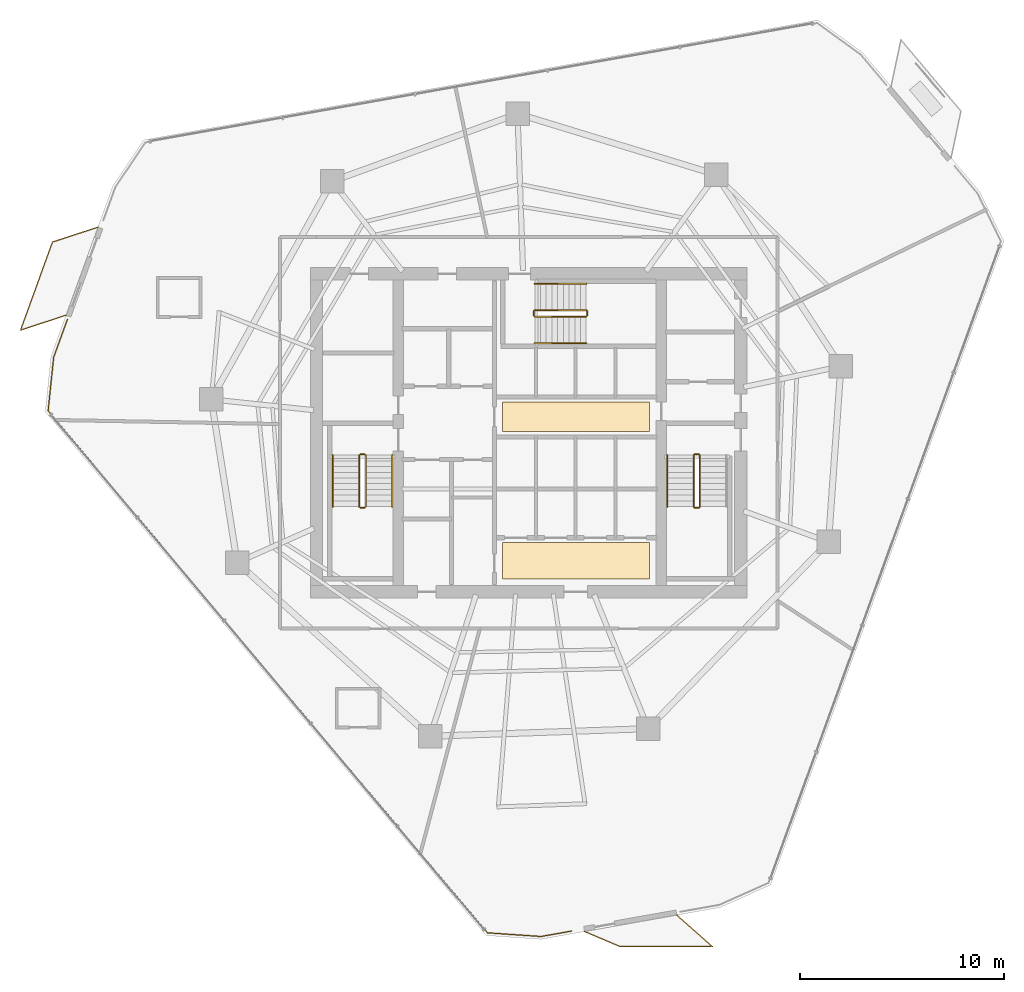
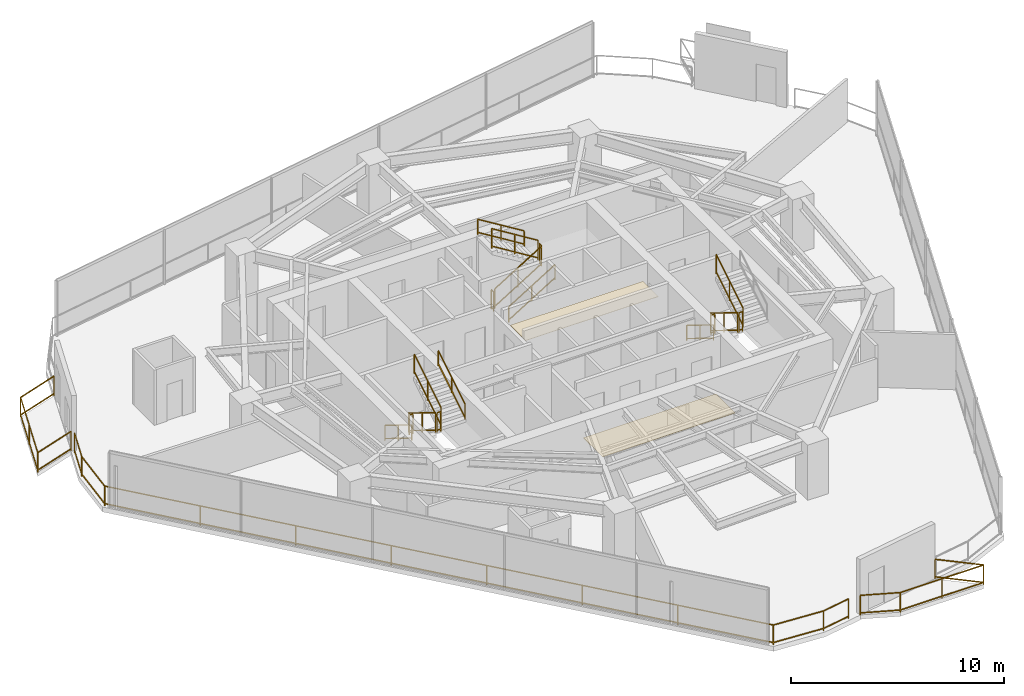
# One storey, part 26 of 27: 20 railings, 2 coverings.
"""IFC4 building model written with IfcOpenShell, lengths in metres."""

from ifc_helpers import new_model, si_unit, direction, frame, origin, origin_2d, place, context, subcontext, project, spatial, rectangle, extrude, material, layer, layer_set, type_object, element, save


model = new_model("IFC4")

# Units and contexts
model_context = context("Model", 3, precision=1e-05, world=origin(), true_north=direction((0.0, 1.0)))
body_context = subcontext(model_context, "Body", "Model", "MODEL_VIEW")
ifc_project = project(units=[si_unit("LENGTHUNIT", "METRE"), si_unit("AREAUNIT", "SQUARE_METRE"), si_unit("VOLUMEUNIT", "CUBIC_METRE"), si_unit("PLANEANGLEUNIT", "RADIAN"), si_unit("MASSUNIT", "GRAM", prefix="KILO")], contexts=[model_context])

# Site, building, storey
site_placement = place(None, origin())
site = spatial("IfcSite", under=ifc_project, at=site_placement, CompositionType="ELEMENT")
building_placement = place(site_placement, origin())
building = spatial("IfcBuilding", under=site, at=building_placement, Name="Qarnah Convention Tower", CompositionType="ELEMENT")
storey_placement = place(building_placement, frame((0.0, 0.0, 103.949951171875)))
storey = spatial("IfcBuildingStorey", under=building, at=storey_placement, Name="L27", CompositionType="ELEMENT", Elevation=103.949951171875)

# Coverings
ifc_material_1 = material(Name="Mineral fibre acoustic ceiling")
ifc_layer_1 = layer(ifc_material_1, 0.02001953125)
ifc_layer_set_1 = layer_set([ifc_layer_1], Name="Mineral fibre acoustic ceiling")
covering_type_1 = type_object("IfcCoveringType", Name="COV-CEIL-20", PredefinedType="CEILING", material=ifc_layer_set_1)
covering_1_placement = place(storey_placement, frame((39.52001953125, 27.179931640625, 2.2900390625), z_axis=(0.0, 0.0, 1.0), x_axis=(1.0, 0.0, 0.0)))
element("IfcCovering", 1, at=covering_1_placement, inside=storey, type_object=covering_type_1, Name="L27 lift lobby acoustic ceiling", PredefinedType="CEILING", context=body_context, shape_type="SweptSolid", body=[
    extrude(rectangle(XDim=7.199951171875, YDim=1.449951171875, at=origin_2d()), origin(), (0.0, 0.0, 1.0), 0.02001953125),
])
ifc_material_2 = material(Name="Porcelain stone floor tile", Category="masonry")
ifc_layer_2 = layer(ifc_material_2, 0.02001953125)
ifc_layer_set_2 = layer_set([ifc_layer_2], Name="Porcelain stone floor tile")
covering_type_2 = type_object("IfcCoveringType", Name="COV-FLOOR-20", PredefinedType="FLOORING", material=ifc_layer_set_2)
covering_2_placement = place(storey_placement, frame((39.52001953125, 20.1201171875, 0.0), z_axis=(0.0, 0.0, 1.0), x_axis=(1.0, 0.0, 0.0)))
element("IfcCovering", 2, at=covering_2_placement, inside=storey, type_object=covering_type_2, Name="L27 lift lobby porcelain stone flooring", PredefinedType="FLOORING", context=body_context, shape_type="SweptSolid", body=[
    extrude(rectangle(XDim=7.199951171875, YDim=1.800048828125, at=origin_2d()), origin(), (0.0, 0.0, 1.0), 0.02001953125),
])

# Railings
ifc_material_3 = material(Name="Black anodised aluminium", Category="aluminium")
railing_type_1 = type_object("IfcRailingType", Name="RL-EXT-GUARD-1150", PredefinedType="GUARDRAIL", material=ifc_material_3)
railing_1_placement = place(storey_placement, frame((39.31396484375, 1.966064453125, 0.0)))
element("IfcRailing", 3, at=railing_1_placement, inside=storey, type_object=railing_type_1, Name="L27 slab-edge perimeter safety guard 03", PredefinedType="GUARDRAIL", context=body_context, shape_type="SweptSolid", body=[
    extrude(rectangle(XDim=0.048095703125, YDim=0.048095703125, at=origin_2d()), frame((0.0, 0.0, 1.1259765625), z_axis=(-0.984585680031, -0.174902940734, 0.0), x_axis=(0.174902940734, -0.984585680031, 0.0)), (0.0, 0.0, 1.0), 1.53271484375),
    extrude(rectangle(XDim=0.048095703125, YDim=0.048095703125, at=origin_2d()), frame((0.0, 0.0, 0.1201171875), z_axis=(-0.984585680031, -0.174902940734, 0.0), x_axis=(0.174902940734, -0.984585680031, 0.0)), (0.0, 0.0, 1.0), 1.53271484375),
    extrude(rectangle(XDim=0.048095703125, YDim=0.048095703125, at=origin_2d()), frame((-1.509033203125, -0.26806640625, 1.1259765625), z_axis=(-0.997657274384, 0.068410254114, 0.0), x_axis=(-0.068410254114, -0.997657274384, 0.0)), (0.0, 0.0, 1.0), 2.630126953125),
    extrude(rectangle(XDim=0.048095703125, YDim=0.048095703125, at=origin_2d()), frame((-1.509033203125, -0.26806640625, 0.1201171875), z_axis=(-0.997657274384, 0.068410254114, 0.0), x_axis=(-0.068410254114, -0.997657274384, 0.0)), (0.0, 0.0, 1.0), 2.630126953125),
    extrude(rectangle(XDim=0.048095703125, YDim=0.048095703125, at=origin_2d()), frame((-4.133056640625, -0.088134765625, 1.1259765625), z_axis=(-0.643881381007, 0.765125327768, 0.0), x_axis=(-0.765125327768, -0.643881381007, 0.0)), (0.0, 0.0, 1.0), 33.462646484375),
    extrude(rectangle(XDim=0.048095703125, YDim=0.048095703125, at=origin_2d()), frame((-4.133056640625, -0.088134765625, 0.1201171875), z_axis=(-0.643881381007, 0.765125327768, 0.0), x_axis=(-0.765125327768, -0.643881381007, 0.0)), (0.0, 0.0, 1.0), 33.462646484375),
    extrude(rectangle(XDim=0.048095703125, YDim=0.048095703125, at=origin_2d()), frame((-25.678955078125, 25.514892578125, 1.1259765625), z_axis=(0.103003627966, 0.994680980328, 0.0), x_axis=(-0.994680980328, 0.103003627966, 0.0)), (0.0, 0.0, 1.0), 2.630859375),
    extrude(rectangle(XDim=0.048095703125, YDim=0.048095703125, at=origin_2d()), frame((-25.678955078125, 25.514892578125, 0.1201171875), z_axis=(0.103003627966, 0.994680980328, 0.0), x_axis=(-0.994680980328, 0.103003627966, 0.0)), (0.0, 0.0, 1.0), 2.630859375),
    extrude(rectangle(XDim=0.048095703125, YDim=0.048095703125, at=origin_2d()), frame((-25.407958984375, 28.1318359375, 1.1259765625), z_axis=(0.340588439932, 0.940212483742, 0.0), x_axis=(-0.940212483742, 0.340588439932, 0.0)), (0.0, 0.0, 1.0), 1.9697265625),
    extrude(rectangle(XDim=0.048095703125, YDim=0.048095703125, at=origin_2d()), frame((-25.407958984375, 28.1318359375, 0.1201171875), z_axis=(0.340588439932, 0.940212483742, 0.0), x_axis=(-0.940212483742, 0.340588439932, 0.0)), (0.0, 0.0, 1.0), 1.9697265625),
    extrude(rectangle(XDim=0.0419921875, YDim=0.0419921875, at=origin_2d()), origin(), (0.0, 0.0, 1.0), 1.101806640625),
    extrude(rectangle(XDim=0.0419921875, YDim=0.0419921875, at=origin_2d()), frame((-1.509033203125, -0.26806640625, 0.0)), (0.0, 0.0, 1.0), 1.101806640625),
    extrude(rectangle(XDim=0.0419921875, YDim=0.0419921875, at=origin_2d()), frame((-4.133056640625, -0.088134765625, 0.0)), (0.0, 0.0, 1.0), 1.101806640625),
    extrude(rectangle(XDim=0.0419921875, YDim=0.0419921875, at=origin_2d()), frame((-7.2109375, 3.5693359375, 0.0)), (0.0, 0.0, 1.0), 1.101806640625),
    extrude(rectangle(XDim=0.0419921875, YDim=0.0419921875, at=origin_2d()), frame((-10.2890625, 7.22705078125, 0.0)), (0.0, 0.0, 1.0), 1.101806640625),
    extrude(rectangle(XDim=0.0419921875, YDim=0.0419921875, at=origin_2d()), frame((-13.366943359375, 10.884521484375, 0.0)), (0.0, 0.0, 1.0), 1.101806640625),
    extrude(rectangle(XDim=0.0419921875, YDim=0.0419921875, at=origin_2d()), frame((-16.445068359375, 14.542236328125, 0.0)), (0.0, 0.0, 1.0), 1.101806640625),
    extrude(rectangle(XDim=0.0419921875, YDim=0.0419921875, at=origin_2d()), frame((-19.52294921875, 18.19970703125, 0.0)), (0.0, 0.0, 1.0), 1.101806640625),
    extrude(rectangle(XDim=0.0419921875, YDim=0.0419921875, at=origin_2d()), frame((-22.60107421875, 21.857421875, 0.0)), (0.0, 0.0, 1.0), 1.101806640625),
    extrude(rectangle(XDim=0.0419921875, YDim=0.0419921875, at=origin_2d()), frame((-25.678955078125, 25.514892578125, 0.0)), (0.0, 0.0, 1.0), 1.101806640625),
    extrude(rectangle(XDim=0.0419921875, YDim=0.0419921875, at=origin_2d()), frame((-25.407958984375, 28.1318359375, 0.0)), (0.0, 0.0, 1.0), 1.101806640625),
    extrude(rectangle(XDim=0.0419921875, YDim=0.0419921875, at=origin_2d()), frame((-24.737060546875, 29.98388671875, 0.0)), (0.0, 0.0, 1.0), 1.101806640625),
])
railing_2_placement = place(storey_placement, frame((14.510009765625, 32.158935546875, 0.0)))
element("IfcRailing", 4, at=railing_2_placement, inside=storey, type_object=railing_type_1, Name="L27 balcony safety guard BAL-L27-C2", PredefinedType="GUARDRAIL", context=body_context, shape_type="SweptSolid", body=[
    extrude(rectangle(XDim=0.048095703125, YDim=0.048095703125, at=origin_2d()), frame((0.0, 0.0, 1.1259765625), z_axis=(-0.950579154954, -0.310482318606, 0.0), x_axis=(0.310482318606, -0.950579154954, 0.0)), (0.0, 0.0, 1.0), 2.347900390625),
    extrude(rectangle(XDim=0.048095703125, YDim=0.048095703125, at=origin_2d()), frame((0.0, 0.0, 0.1201171875), z_axis=(-0.950579154954, -0.310482318606, 0.0), x_axis=(0.310482318606, -0.950579154954, 0.0)), (0.0, 0.0, 1.0), 2.347900390625),
    extrude(rectangle(XDim=0.048095703125, YDim=0.048095703125, at=origin_2d()), frame((-2.23193359375, -0.72900390625, 1.1259765625), z_axis=(0.340626339415, 0.940198753933, 0.0), x_axis=(-0.940198753933, 0.340626339415, 0.0)), (0.0, 0.0, 1.0), 4.60009765625),
    extrude(rectangle(XDim=0.048095703125, YDim=0.048095703125, at=origin_2d()), frame((-2.23193359375, -0.72900390625, 0.1201171875), z_axis=(0.340626339415, 0.940198753933, 0.0), x_axis=(-0.940198753933, 0.340626339415, 0.0)), (0.0, 0.0, 1.0), 4.60009765625),
    extrude(rectangle(XDim=0.048095703125, YDim=0.048095703125, at=origin_2d()), frame((-0.6650390625, 3.595947265625, 1.1259765625), z_axis=(0.950579154954, 0.310482318606, 0.0), x_axis=(-0.310482318606, 0.950579154954, 0.0)), (0.0, 0.0, 1.0), 2.347900390625),
    extrude(rectangle(XDim=0.048095703125, YDim=0.048095703125, at=origin_2d()), frame((-0.6650390625, 3.595947265625, 0.1201171875), z_axis=(0.950579154954, 0.310482318606, 0.0), x_axis=(-0.310482318606, 0.950579154954, 0.0)), (0.0, 0.0, 1.0), 2.347900390625),
    extrude(rectangle(XDim=0.0419921875, YDim=0.0419921875, at=origin_2d()), origin(), (0.0, 0.0, 1.0), 1.101806640625),
    extrude(rectangle(XDim=0.0419921875, YDim=0.0419921875, at=origin_2d()), frame((-2.23193359375, -0.72900390625, 0.0)), (0.0, 0.0, 1.0), 1.101806640625),
    extrude(rectangle(XDim=0.0419921875, YDim=0.0419921875, at=origin_2d()), frame((-1.448486328125, 1.43359375, 0.0)), (0.0, 0.0, 1.0), 1.101806640625),
    extrude(rectangle(XDim=0.0419921875, YDim=0.0419921875, at=origin_2d()), frame((-0.6650390625, 3.595947265625, 0.0)), (0.0, 0.0, 1.0), 1.101806640625),
    extrude(rectangle(XDim=0.0419921875, YDim=0.0419921875, at=origin_2d()), frame((1.56689453125, 4.324951171875, 0.0)), (0.0, 0.0, 1.0), 1.101806640625),
])
railing_3_placement = place(storey_placement, frame((44.468017578125, 2.7451171875, 0.0)))
element("IfcRailing", 5, at=railing_3_placement, inside=storey, type_object=railing_type_1, Name="L27 balcony safety guard BAL-L27-C3", PredefinedType="GUARDRAIL", context=body_context, shape_type="SweptSolid", body=[
    extrude(rectangle(XDim=0.048095703125, YDim=0.048095703125, at=origin_2d()), frame((0.0, 0.0, 1.1259765625), z_axis=(0.749064489644, -0.662497087054, 0.0), x_axis=(0.662497087054, 0.749064489644, 0.0)), (0.0, 0.0, 1.0), 2.332275390625),
    extrude(rectangle(XDim=0.048095703125, YDim=0.048095703125, at=origin_2d()), frame((0.0, 0.0, 0.1201171875), z_axis=(0.749064489644, -0.662497087054, 0.0), x_axis=(0.662497087054, 0.749064489644, 0.0)), (0.0, 0.0, 1.0), 2.332275390625),
    extrude(rectangle(XDim=0.048095703125, YDim=0.048095703125, at=origin_2d()), frame((1.7470703125, -1.545166015625, 1.1259765625), z_axis=(-1.0, 0.0, 0.0), x_axis=(0.0, -1.0, 0.0)), (0.0, 0.0, 1.0), 4.529052734375),
    extrude(rectangle(XDim=0.048095703125, YDim=0.048095703125, at=origin_2d()), frame((1.7470703125, -1.545166015625, 0.1201171875), z_axis=(-1.0, 0.0, 0.0), x_axis=(0.0, -1.0, 0.0)), (0.0, 0.0, 1.0), 4.529052734375),
    extrude(rectangle(XDim=0.048095703125, YDim=0.048095703125, at=origin_2d()), frame((-2.781982421875, -1.545166015625, 1.1259765625), z_axis=(-0.920807337319, 0.390017752853, 0.0), x_axis=(-0.390017752853, -0.920807337319, 0.0)), (0.0, 0.0, 1.0), 1.897216796875),
    extrude(rectangle(XDim=0.048095703125, YDim=0.048095703125, at=origin_2d()), frame((-2.781982421875, -1.545166015625, 0.1201171875), z_axis=(-0.920807337319, 0.390017752853, 0.0), x_axis=(-0.390017752853, -0.920807337319, 0.0)), (0.0, 0.0, 1.0), 1.897216796875),
    extrude(rectangle(XDim=0.0419921875, YDim=0.0419921875, at=origin_2d()), origin(), (0.0, 0.0, 1.0), 1.101806640625),
    extrude(rectangle(XDim=0.0419921875, YDim=0.0419921875, at=origin_2d()), frame((1.7470703125, -1.545166015625, 0.0)), (0.0, 0.0, 1.0), 1.101806640625),
    extrude(rectangle(XDim=0.0419921875, YDim=0.0419921875, at=origin_2d()), frame((-0.517578125, -1.545166015625, 0.0)), (0.0, 0.0, 1.0), 1.101806640625),
    extrude(rectangle(XDim=0.0419921875, YDim=0.0419921875, at=origin_2d()), frame((-2.781982421875, -1.545166015625, 0.0)), (0.0, 0.0, 1.0), 1.101806640625),
    extrude(rectangle(XDim=0.0419921875, YDim=0.0419921875, at=origin_2d()), frame((-4.529052734375, -0.80517578125, 0.0)), (0.0, 0.0, 1.0), 1.101806640625),
])
ifc_material_4 = material(Name="Structural steel S355JR", Category="steel")
railing_type_2 = type_object("IfcRailingType", Name="RL-STAIR-GUARD-1150", PredefinedType="GUARDRAIL", material=ifc_material_4)
railing_4_placement = place(storey_placement, frame((28.89990234375, 25.300048828125, 0.172607421875)))
element("IfcRailing", 6, at=railing_4_placement, inside=storey, type_object=railing_type_2, Name="L27 ST-1 stair guard 1", PredefinedType="GUARDRAIL", context=body_context, shape_type="SweptSolid", body=[
    extrude(rectangle(XDim=0.048095703125, YDim=0.048095703125, at=origin_2d()), frame((0.0, 0.0, 1.1259765625), z_axis=(0.0, -0.851400495292, 0.524516154772), x_axis=(1.0, 0.0, 0.0)), (0.0, 0.0, 1.0), 2.9599609375),
    extrude(rectangle(XDim=0.048095703125, YDim=0.048095703125, at=origin_2d()), frame((0.0, 0.0, 0.1201171875), z_axis=(0.0, -0.851400495292, 0.524516154772), x_axis=(1.0, 0.0, 0.0)), (0.0, 0.0, 1.0), 2.9599609375),
    extrude(rectangle(XDim=0.0419921875, YDim=0.0419921875, at=origin_2d()), origin(), (0.0, 0.0, 1.0), 1.101806640625),
    extrude(rectangle(XDim=0.0419921875, YDim=0.0419921875, at=origin_2d()), frame((0.0, -1.260009765625, 0.7763671875)), (0.0, 0.0, 1.0), 1.101806640625),
    extrude(rectangle(XDim=0.0419921875, YDim=0.0419921875, at=origin_2d()), frame((0.0, -2.52001953125, 1.552490234375)), (0.0, 0.0, 1.0), 1.101806640625),
])
railing_5_placement = place(storey_placement, frame((28.949951171875, 22.72998046875, 1.72509765625)))
element("IfcRailing", 7, at=railing_5_placement, inside=storey, type_object=railing_type_2, Name="L27 ST-1 stair guard 2", PredefinedType="GUARDRAIL", context=body_context, shape_type="SweptSolid", body=[
    extrude(rectangle(XDim=0.048095703125, YDim=0.048095703125, at=origin_2d()), frame((0.0, 0.0, 1.1259765625), z_axis=(1.0, 0.0, 0.0), x_axis=(0.0, 1.0, 0.0)), (0.0, 0.0, 1.0), 0.199951171875),
    extrude(rectangle(XDim=0.048095703125, YDim=0.048095703125, at=origin_2d()), frame((0.0, 0.0, 0.1201171875), z_axis=(1.0, 0.0, 0.0), x_axis=(0.0, 1.0, 0.0)), (0.0, 0.0, 1.0), 0.199951171875),
    extrude(rectangle(XDim=0.0419921875, YDim=0.0419921875, at=origin_2d()), origin(), (0.0, 0.0, 1.0), 1.101806640625),
    extrude(rectangle(XDim=0.0419921875, YDim=0.0419921875, at=origin_2d()), frame((0.199951171875, 0.0, 0.0)), (0.0, 0.0, 1.0), 1.101806640625),
])
railing_6_placement = place(storey_placement, frame((29.199951171875, 22.780029296875, 1.8974609375)))
element("IfcRailing", 8, at=railing_6_placement, inside=storey, type_object=railing_type_2, Name="L27 ST-1 stair guard 3", PredefinedType="GUARDRAIL", context=body_context, shape_type="SweptSolid", body=[
    extrude(rectangle(XDim=0.048095703125, YDim=0.048095703125, at=origin_2d()), frame((0.0, 0.0, 1.1259765625), z_axis=(0.0, 0.851400495292, 0.524516154772), x_axis=(-1.0, 0.0, 0.0)), (0.0, 0.0, 1.0), 2.9599609375),
    extrude(rectangle(XDim=0.048095703125, YDim=0.048095703125, at=origin_2d()), frame((0.0, 0.0, 0.1201171875), z_axis=(0.0, 0.851400495292, 0.524516154772), x_axis=(-1.0, 0.0, 0.0)), (0.0, 0.0, 1.0), 2.9599609375),
    extrude(rectangle(XDim=0.0419921875, YDim=0.0419921875, at=origin_2d()), origin(), (0.0, 0.0, 1.0), 1.101806640625),
    extrude(rectangle(XDim=0.0419921875, YDim=0.0419921875, at=origin_2d()), frame((0.0, 1.260009765625, 0.7763671875)), (0.0, 0.0, 1.0), 1.101806640625),
    extrude(rectangle(XDim=0.0419921875, YDim=0.0419921875, at=origin_2d()), frame((0.0, 2.52001953125, 1.552490234375)), (0.0, 0.0, 1.0), 1.101806640625),
])
railing_7_placement = place(storey_placement, frame((28.949951171875, 25.35009765625, 0.0)))
element("IfcRailing", 9, at=railing_7_placement, inside=storey, type_object=railing_type_2, Name="L27 ST-1 stair guard 4", PredefinedType="GUARDRAIL", context=body_context, shape_type="SweptSolid", body=[
    extrude(rectangle(XDim=0.048095703125, YDim=0.048095703125, at=origin_2d()), frame((0.0, 0.0, 1.1259765625), z_axis=(1.0, 0.0, 0.0), x_axis=(0.0, 1.0, 0.0)), (0.0, 0.0, 1.0), 0.199951171875),
    extrude(rectangle(XDim=0.048095703125, YDim=0.048095703125, at=origin_2d()), frame((0.0, 0.0, 0.1201171875), z_axis=(1.0, 0.0, 0.0), x_axis=(0.0, 1.0, 0.0)), (0.0, 0.0, 1.0), 0.199951171875),
    extrude(rectangle(XDim=0.0419921875, YDim=0.0419921875, at=origin_2d()), origin(), (0.0, 0.0, 1.0), 1.101806640625),
    extrude(rectangle(XDim=0.0419921875, YDim=0.0419921875, at=origin_2d()), frame((0.199951171875, 0.0, 0.0)), (0.0, 0.0, 1.0), 1.101806640625),
])
railing_8_placement = place(storey_placement, frame((45.300048828125, 25.300048828125, 0.172607421875)))
element("IfcRailing", 10, at=railing_8_placement, inside=storey, type_object=railing_type_2, Name="L27 ST-2 stair guard 1", PredefinedType="GUARDRAIL", context=body_context, shape_type="SweptSolid", body=[
    extrude(rectangle(XDim=0.048095703125, YDim=0.048095703125, at=origin_2d()), frame((0.0, 0.0, 1.1259765625), z_axis=(0.0, -0.851400495292, 0.524516154772), x_axis=(1.0, 0.0, 0.0)), (0.0, 0.0, 1.0), 2.9599609375),
    extrude(rectangle(XDim=0.048095703125, YDim=0.048095703125, at=origin_2d()), frame((0.0, 0.0, 0.1201171875), z_axis=(0.0, -0.851400495292, 0.524516154772), x_axis=(1.0, 0.0, 0.0)), (0.0, 0.0, 1.0), 2.9599609375),
    extrude(rectangle(XDim=0.0419921875, YDim=0.0419921875, at=origin_2d()), origin(), (0.0, 0.0, 1.0), 1.101806640625),
    extrude(rectangle(XDim=0.0419921875, YDim=0.0419921875, at=origin_2d()), frame((0.0, -1.260009765625, 0.7763671875)), (0.0, 0.0, 1.0), 1.101806640625),
    extrude(rectangle(XDim=0.0419921875, YDim=0.0419921875, at=origin_2d()), frame((0.0, -2.52001953125, 1.552490234375)), (0.0, 0.0, 1.0), 1.101806640625),
])
railing_9_placement = place(storey_placement, frame((45.35009765625, 22.72998046875, 1.72509765625)))
element("IfcRailing", 11, at=railing_9_placement, inside=storey, type_object=railing_type_2, Name="L27 ST-2 stair guard 2", PredefinedType="GUARDRAIL", context=body_context, shape_type="SweptSolid", body=[
    extrude(rectangle(XDim=0.048095703125, YDim=0.048095703125, at=origin_2d()), frame((0.0, 0.0, 1.1259765625), z_axis=(1.0, 0.0, 0.0), x_axis=(0.0, 1.0, 0.0)), (0.0, 0.0, 1.0), 0.199951171875),
    extrude(rectangle(XDim=0.048095703125, YDim=0.048095703125, at=origin_2d()), frame((0.0, 0.0, 0.1201171875), z_axis=(1.0, 0.0, 0.0), x_axis=(0.0, 1.0, 0.0)), (0.0, 0.0, 1.0), 0.199951171875),
    extrude(rectangle(XDim=0.0419921875, YDim=0.0419921875, at=origin_2d()), origin(), (0.0, 0.0, 1.0), 1.101806640625),
    extrude(rectangle(XDim=0.0419921875, YDim=0.0419921875, at=origin_2d()), frame((0.199951171875, 0.0, 0.0)), (0.0, 0.0, 1.0), 1.101806640625),
])
railing_10_placement = place(storey_placement, frame((45.60009765625, 22.780029296875, 1.8974609375)))
element("IfcRailing", 12, at=railing_10_placement, inside=storey, type_object=railing_type_2, Name="L27 ST-2 stair guard 3", PredefinedType="GUARDRAIL", context=body_context, shape_type="SweptSolid", body=[
    extrude(rectangle(XDim=0.048095703125, YDim=0.048095703125, at=origin_2d()), frame((0.0, 0.0, 1.1259765625), z_axis=(0.0, 0.851400495292, 0.524516154772), x_axis=(-1.0, 0.0, 0.0)), (0.0, 0.0, 1.0), 2.9599609375),
    extrude(rectangle(XDim=0.048095703125, YDim=0.048095703125, at=origin_2d()), frame((0.0, 0.0, 0.1201171875), z_axis=(0.0, 0.851400495292, 0.524516154772), x_axis=(-1.0, 0.0, 0.0)), (0.0, 0.0, 1.0), 2.9599609375),
    extrude(rectangle(XDim=0.0419921875, YDim=0.0419921875, at=origin_2d()), origin(), (0.0, 0.0, 1.0), 1.101806640625),
    extrude(rectangle(XDim=0.0419921875, YDim=0.0419921875, at=origin_2d()), frame((0.0, 1.260009765625, 0.7763671875)), (0.0, 0.0, 1.0), 1.101806640625),
    extrude(rectangle(XDim=0.0419921875, YDim=0.0419921875, at=origin_2d()), frame((0.0, 2.52001953125, 1.552490234375)), (0.0, 0.0, 1.0), 1.101806640625),
])
railing_11_placement = place(storey_placement, frame((45.35009765625, 25.35009765625, 0.0)))
element("IfcRailing", 13, at=railing_11_placement, inside=storey, type_object=railing_type_2, Name="L27 ST-2 stair guard 4", PredefinedType="GUARDRAIL", context=body_context, shape_type="SweptSolid", body=[
    extrude(rectangle(XDim=0.048095703125, YDim=0.048095703125, at=origin_2d()), frame((0.0, 0.0, 1.1259765625), z_axis=(1.0, 0.0, 0.0), x_axis=(0.0, 1.0, 0.0)), (0.0, 0.0, 1.0), 0.199951171875),
    extrude(rectangle(XDim=0.048095703125, YDim=0.048095703125, at=origin_2d()), frame((0.0, 0.0, 0.1201171875), z_axis=(1.0, 0.0, 0.0), x_axis=(0.0, 1.0, 0.0)), (0.0, 0.0, 1.0), 0.199951171875),
    extrude(rectangle(XDim=0.0419921875, YDim=0.0419921875, at=origin_2d()), origin(), (0.0, 0.0, 1.0), 1.101806640625),
    extrude(rectangle(XDim=0.0419921875, YDim=0.0419921875, at=origin_2d()), frame((0.199951171875, 0.0, 0.0)), (0.0, 0.0, 1.0), 1.101806640625),
])
railing_12_placement = place(storey_placement, frame((37.5, 32.10009765625, 0.172607421875)))
element("IfcRailing", 14, at=railing_12_placement, inside=storey, type_object=railing_type_2, Name="L27 ST-3 stair guard 1", PredefinedType="GUARDRAIL", context=body_context, shape_type="SweptSolid", body=[
    extrude(rectangle(XDim=0.048095703125, YDim=0.048095703125, at=origin_2d()), frame((0.0, 0.0, 1.1259765625), z_axis=(0.851400495292, 0.0, 0.524516154772), x_axis=(0.0, 1.0, 0.0)), (0.0, 0.0, 1.0), 2.9599609375),
    extrude(rectangle(XDim=0.048095703125, YDim=0.048095703125, at=origin_2d()), frame((0.0, 0.0, 0.1201171875), z_axis=(0.851400495292, 0.0, 0.524516154772), x_axis=(0.0, 1.0, 0.0)), (0.0, 0.0, 1.0), 2.9599609375),
    extrude(rectangle(XDim=0.0419921875, YDim=0.0419921875, at=origin_2d()), origin(), (0.0, 0.0, 1.0), 1.101806640625),
    extrude(rectangle(XDim=0.0419921875, YDim=0.0419921875, at=origin_2d()), frame((1.260009765625, 0.0, 0.7763671875)), (0.0, 0.0, 1.0), 1.101806640625),
    extrude(rectangle(XDim=0.0419921875, YDim=0.0419921875, at=origin_2d()), frame((2.52001953125, 0.0, 1.552490234375)), (0.0, 0.0, 1.0), 1.101806640625),
])
railing_13_placement = place(storey_placement, frame((40.070068359375, 32.14990234375, 1.72509765625)))
element("IfcRailing", 15, at=railing_13_placement, inside=storey, type_object=railing_type_2, Name="L27 ST-3 stair guard 2", PredefinedType="GUARDRAIL", context=body_context, shape_type="SweptSolid", body=[
    extrude(rectangle(XDim=0.048095703125, YDim=0.048095703125, at=origin_2d()), frame((0.0, 0.0, 1.1259765625), z_axis=(0.0, 1.0, 0.0), x_axis=(-1.0, 0.0, 0.0)), (0.0, 0.0, 1.0), 0.2001953125),
    extrude(rectangle(XDim=0.048095703125, YDim=0.048095703125, at=origin_2d()), frame((0.0, 0.0, 0.1201171875), z_axis=(0.0, 1.0, 0.0), x_axis=(-1.0, 0.0, 0.0)), (0.0, 0.0, 1.0), 0.2001953125),
    extrude(rectangle(XDim=0.0419921875, YDim=0.0419921875, at=origin_2d()), origin(), (0.0, 0.0, 1.0), 1.101806640625),
    extrude(rectangle(XDim=0.0419921875, YDim=0.0419921875, at=origin_2d()), frame((0.0, 0.2001953125, 0.0)), (0.0, 0.0, 1.0), 1.101806640625),
])
railing_14_placement = place(storey_placement, frame((40.02001953125, 32.39990234375, 1.8974609375)))
element("IfcRailing", 16, at=railing_14_placement, inside=storey, type_object=railing_type_2, Name="L27 ST-3 stair guard 3", PredefinedType="GUARDRAIL", context=body_context, shape_type="SweptSolid", body=[
    extrude(rectangle(XDim=0.048095703125, YDim=0.048095703125, at=origin_2d()), frame((0.0, 0.0, 1.1259765625), z_axis=(-0.851400495292, 0.0, 0.524516154772), x_axis=(0.0, -1.0, 0.0)), (0.0, 0.0, 1.0), 2.9599609375),
    extrude(rectangle(XDim=0.048095703125, YDim=0.048095703125, at=origin_2d()), frame((0.0, 0.0, 0.1201171875), z_axis=(-0.851400495292, 0.0, 0.524516154772), x_axis=(0.0, -1.0, 0.0)), (0.0, 0.0, 1.0), 2.9599609375),
    extrude(rectangle(XDim=0.0419921875, YDim=0.0419921875, at=origin_2d()), origin(), (0.0, 0.0, 1.0), 1.101806640625),
    extrude(rectangle(XDim=0.0419921875, YDim=0.0419921875, at=origin_2d()), frame((-1.260009765625, 0.0, 0.7763671875)), (0.0, 0.0, 1.0), 1.101806640625),
    extrude(rectangle(XDim=0.0419921875, YDim=0.0419921875, at=origin_2d()), frame((-2.52001953125, 0.0, 1.552490234375)), (0.0, 0.0, 1.0), 1.101806640625),
])
railing_15_placement = place(storey_placement, frame((37.449951171875, 32.14990234375, 0.0)))
element("IfcRailing", 17, at=railing_15_placement, inside=storey, type_object=railing_type_2, Name="L27 ST-3 stair guard 4", PredefinedType="GUARDRAIL", context=body_context, shape_type="SweptSolid", body=[
    extrude(rectangle(XDim=0.048095703125, YDim=0.048095703125, at=origin_2d()), frame((0.0, 0.0, 1.1259765625), z_axis=(0.0, 1.0, 0.0), x_axis=(-1.0, 0.0, 0.0)), (0.0, 0.0, 1.0), 0.2001953125),
    extrude(rectangle(XDim=0.048095703125, YDim=0.048095703125, at=origin_2d()), frame((0.0, 0.0, 0.1201171875), z_axis=(0.0, 1.0, 0.0), x_axis=(-1.0, 0.0, 0.0)), (0.0, 0.0, 1.0), 0.2001953125),
    extrude(rectangle(XDim=0.0419921875, YDim=0.0419921875, at=origin_2d()), origin(), (0.0, 0.0, 1.0), 1.101806640625),
    extrude(rectangle(XDim=0.0419921875, YDim=0.0419921875, at=origin_2d()), frame((0.0, 0.2001953125, 0.0)), (0.0, 0.0, 1.0), 1.101806640625),
])
railing_type_3 = type_object("IfcRailingType", Name="RL-STAIR-HAND-900", PredefinedType="HANDRAIL", material=ifc_material_4)
railing_16_placement = place(storey_placement, frame((27.60009765625, 25.300048828125, 0.172607421875)))
element("IfcRailing", 18, at=railing_16_placement, inside=storey, type_object=railing_type_3, Name="L27 ST-1 stair handrail 1", PredefinedType="HANDRAIL", context=body_context, shape_type="SweptSolid", body=[
    extrude(rectangle(XDim=0.048095703125, YDim=0.048095703125, at=origin_2d()), frame((0.0, 0.0, 0.8759765625), z_axis=(0.0, -0.851400495292, 0.524516154772), x_axis=(1.0, 0.0, 0.0)), (0.0, 0.0, 1.0), 2.9599609375),
    extrude(rectangle(XDim=0.048095703125, YDim=0.048095703125, at=origin_2d()), frame((0.0, 0.0, 0.1201171875), z_axis=(0.0, -0.851400495292, 0.524516154772), x_axis=(1.0, 0.0, 0.0)), (0.0, 0.0, 1.0), 2.9599609375),
    extrude(rectangle(XDim=0.0419921875, YDim=0.0419921875, at=origin_2d()), origin(), (0.0, 0.0, 1.0), 0.851806640625),
    extrude(rectangle(XDim=0.0419921875, YDim=0.0419921875, at=origin_2d()), frame((0.0, -1.260009765625, 0.7763671875)), (0.0, 0.0, 1.0), 0.851806640625),
    extrude(rectangle(XDim=0.0419921875, YDim=0.0419921875, at=origin_2d()), frame((0.0, -2.52001953125, 1.552490234375)), (0.0, 0.0, 1.0), 0.851806640625),
])
railing_17_placement = place(storey_placement, frame((30.5, 22.780029296875, 1.8974609375)))
element("IfcRailing", 19, at=railing_17_placement, inside=storey, type_object=railing_type_3, Name="L27 ST-1 stair handrail 2", PredefinedType="HANDRAIL", context=body_context, shape_type="SweptSolid", body=[
    extrude(rectangle(XDim=0.048095703125, YDim=0.048095703125, at=origin_2d()), frame((0.0, 0.0, 0.8759765625), z_axis=(0.0, 0.851400495292, 0.524516154772), x_axis=(-1.0, 0.0, 0.0)), (0.0, 0.0, 1.0), 2.9599609375),
    extrude(rectangle(XDim=0.048095703125, YDim=0.048095703125, at=origin_2d()), frame((0.0, 0.0, 0.1201171875), z_axis=(0.0, 0.851400495292, 0.524516154772), x_axis=(-1.0, 0.0, 0.0)), (0.0, 0.0, 1.0), 2.9599609375),
    extrude(rectangle(XDim=0.0419921875, YDim=0.0419921875, at=origin_2d()), origin(), (0.0, 0.0, 1.0), 0.851806640625),
    extrude(rectangle(XDim=0.0419921875, YDim=0.0419921875, at=origin_2d()), frame((0.0, 1.260009765625, 0.7763671875)), (0.0, 0.0, 1.0), 0.851806640625),
    extrude(rectangle(XDim=0.0419921875, YDim=0.0419921875, at=origin_2d()), frame((0.0, 2.52001953125, 1.552490234375)), (0.0, 0.0, 1.0), 0.851806640625),
])
railing_18_placement = place(storey_placement, frame((44.0, 25.300048828125, 0.172607421875)))
element("IfcRailing", 20, at=railing_18_placement, inside=storey, type_object=railing_type_3, Name="L27 ST-2 stair handrail 1", PredefinedType="HANDRAIL", context=body_context, shape_type="SweptSolid", body=[
    extrude(rectangle(XDim=0.048095703125, YDim=0.048095703125, at=origin_2d()), frame((0.0, 0.0, 0.8759765625), z_axis=(0.0, -0.851400495292, 0.524516154772), x_axis=(1.0, 0.0, 0.0)), (0.0, 0.0, 1.0), 2.9599609375),
    extrude(rectangle(XDim=0.048095703125, YDim=0.048095703125, at=origin_2d()), frame((0.0, 0.0, 0.1201171875), z_axis=(0.0, -0.851400495292, 0.524516154772), x_axis=(1.0, 0.0, 0.0)), (0.0, 0.0, 1.0), 2.9599609375),
    extrude(rectangle(XDim=0.0419921875, YDim=0.0419921875, at=origin_2d()), origin(), (0.0, 0.0, 1.0), 0.851806640625),
    extrude(rectangle(XDim=0.0419921875, YDim=0.0419921875, at=origin_2d()), frame((0.0, -1.260009765625, 0.7763671875)), (0.0, 0.0, 1.0), 0.851806640625),
    extrude(rectangle(XDim=0.0419921875, YDim=0.0419921875, at=origin_2d()), frame((0.0, -2.52001953125, 1.552490234375)), (0.0, 0.0, 1.0), 0.851806640625),
])
railing_19_placement = place(storey_placement, frame((37.5, 30.800048828125, 0.172607421875)))
element("IfcRailing", 21, at=railing_19_placement, inside=storey, type_object=railing_type_3, Name="L27 ST-3 stair handrail 1", PredefinedType="HANDRAIL", context=body_context, shape_type="SweptSolid", body=[
    extrude(rectangle(XDim=0.048095703125, YDim=0.048095703125, at=origin_2d()), frame((0.0, 0.0, 0.8759765625), z_axis=(0.851400495292, 0.0, 0.524516154772), x_axis=(0.0, 1.0, 0.0)), (0.0, 0.0, 1.0), 2.9599609375),
    extrude(rectangle(XDim=0.048095703125, YDim=0.048095703125, at=origin_2d()), frame((0.0, 0.0, 0.1201171875), z_axis=(0.851400495292, 0.0, 0.524516154772), x_axis=(0.0, 1.0, 0.0)), (0.0, 0.0, 1.0), 2.9599609375),
    extrude(rectangle(XDim=0.0419921875, YDim=0.0419921875, at=origin_2d()), origin(), (0.0, 0.0, 1.0), 0.851806640625),
    extrude(rectangle(XDim=0.0419921875, YDim=0.0419921875, at=origin_2d()), frame((1.260009765625, 0.0, 0.7763671875)), (0.0, 0.0, 1.0), 0.851806640625),
    extrude(rectangle(XDim=0.0419921875, YDim=0.0419921875, at=origin_2d()), frame((2.52001953125, 0.0, 1.552490234375)), (0.0, 0.0, 1.0), 0.851806640625),
])
railing_20_placement = place(storey_placement, frame((40.02001953125, 33.699951171875, 1.8974609375)))
element("IfcRailing", 22, at=railing_20_placement, inside=storey, type_object=railing_type_3, Name="L27 ST-3 stair handrail 2", PredefinedType="HANDRAIL", context=body_context, shape_type="SweptSolid", body=[
    extrude(rectangle(XDim=0.048095703125, YDim=0.048095703125, at=origin_2d()), frame((0.0, 0.0, 0.8759765625), z_axis=(-0.851400495292, 0.0, 0.524516154772), x_axis=(0.0, -1.0, 0.0)), (0.0, 0.0, 1.0), 2.9599609375),
    extrude(rectangle(XDim=0.048095703125, YDim=0.048095703125, at=origin_2d()), frame((0.0, 0.0, 0.1201171875), z_axis=(-0.851400495292, 0.0, 0.524516154772), x_axis=(0.0, -1.0, 0.0)), (0.0, 0.0, 1.0), 2.9599609375),
    extrude(rectangle(XDim=0.0419921875, YDim=0.0419921875, at=origin_2d()), origin(), (0.0, 0.0, 1.0), 0.851806640625),
    extrude(rectangle(XDim=0.0419921875, YDim=0.0419921875, at=origin_2d()), frame((-1.260009765625, 0.0, 0.7763671875)), (0.0, 0.0, 1.0), 0.851806640625),
    extrude(rectangle(XDim=0.0419921875, YDim=0.0419921875, at=origin_2d()), frame((-2.52001953125, 0.0, 1.552490234375)), (0.0, 0.0, 1.0), 0.851806640625),
])

save(model, "model.ifc")
